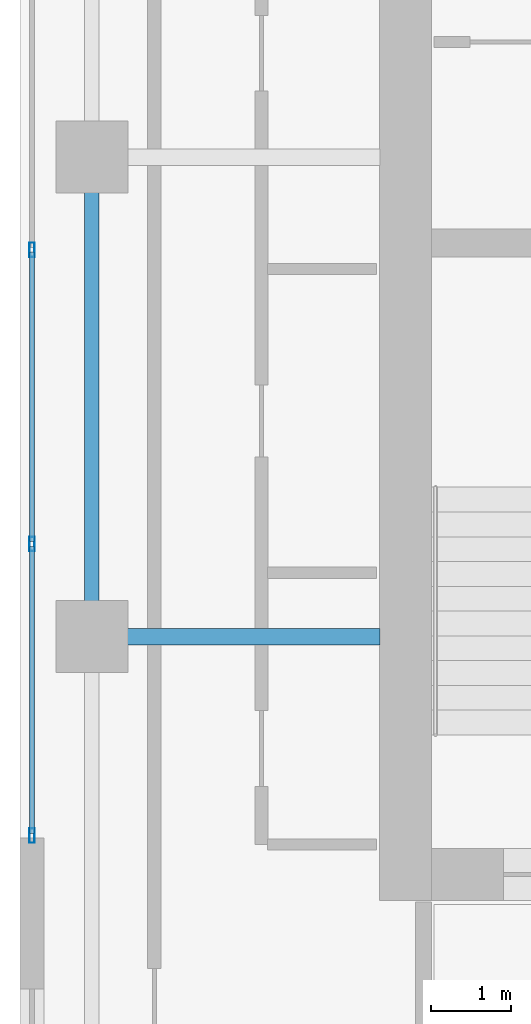
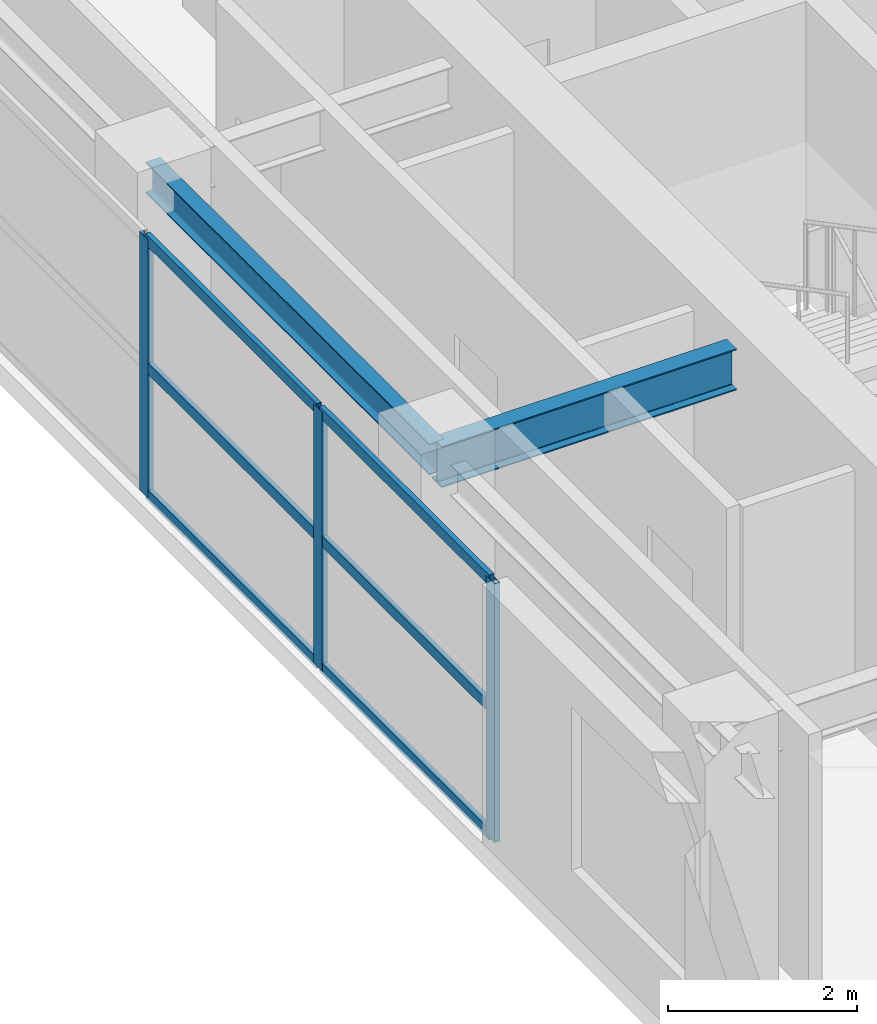
# One storey, part 2 of 15: 9 members, 2 beams, 1 element without a shape of its own.
"""IFC4 building model written with IfcOpenShell, lengths in metres."""

from ifc_helpers import new_model, si_unit, direction, frame, origin, origin_2d, place, context, subcontext, project, spatial, hollow_rectangle, i_section, extrude, source, transform, mapped, material, layer, layer_set, material_profile, profile_set, type_object, element, aggregate, save


model = new_model("IFC4")

# Units and contexts
model_context = context("Model", 3, precision=1e-05, world=origin(), true_north=direction((0.0, 1.0)))
body_context = subcontext(model_context, "Body", "Model", "MODEL_VIEW")
ifc_project = project(units=[si_unit("LENGTHUNIT", "METRE"), si_unit("AREAUNIT", "SQUARE_METRE"), si_unit("VOLUMEUNIT", "CUBIC_METRE"), si_unit("PLANEANGLEUNIT", "RADIAN"), si_unit("MASSUNIT", "GRAM", prefix="KILO")], contexts=[model_context])

# Site, building, storey
site_placement = place(None, origin())
site = spatial("IfcSite", under=ifc_project, at=site_placement, CompositionType="ELEMENT")
building_placement = place(site_placement, origin())
building = spatial("IfcBuilding", under=site, at=building_placement, Name="Khoralis Quay Care Tower", CompositionType="ELEMENT")
storey_placement = place(building_placement, frame((0.0, 0.0, 162.89990234375)))
storey = spatial("IfcBuildingStorey", under=building, at=storey_placement, Name="L42", CompositionType="ELEMENT", Elevation=162.89990234375)

# Beams
ifc_material_1 = material(Name="Steel S355", Category="steel")
ifc_material_profile_1 = material_profile(ifc_material_1, i_section(OverallWidth=0.179931640625, OverallDepth=0.39990234375, WebThickness=0.008544921875, FlangeThickness=0.013427734375, FilletRadius=0.02099609375, at=origin_2d()), Name="Steel S355")
ifc_profile_set_1 = profile_set([ifc_material_profile_1], Name="Steel S355")
beam_type_1 = type_object("IfcBeamType", Name="BM-IPE400", PredefinedType="SPANDREL", material=ifc_profile_set_1)
shared_shape_1 = source(origin(), body_context, "Body", "SweptSolid", [
    extrude(i_section(OverallWidth=0.179931640625, OverallDepth=0.39990234375, WebThickness=0.008544921875, FlangeThickness=0.013427734375, FilletRadius=0.02099609375, at=origin_2d()), origin(), (0.0, 0.0, 1.0), 6.0),
])
beam_1_placement = place(storey_placement, frame((3.89990234375, 18.0, 3.14013671875), z_axis=(0.0, 1.0, 0.0), x_axis=(-1.0, 0.0, 0.0)))
element("IfcBeam", 1, at=beam_1_placement, inside=storey, type_object=beam_type_1, Name="BM-TSP-L42-11", PredefinedType="SPANDREL", context=body_context, shape_type="MappedRepresentation", body=[
    mapped(shared_shape_1, transform((0.0, 0.0, 0.0), scale=1.0)),
])
ifc_material_profile_2 = material_profile(ifc_material_1, i_section(OverallWidth=0.208984375, OverallDepth=0.532958984375, WebThickness=0.01025390625, FlangeThickness=0.015625, FilletRadius=0.01611328125, at=origin_2d()), Name="Steel S355")
ifc_profile_set_2 = profile_set([ifc_material_profile_2], Name="Steel S355")
beam_type_2 = type_object("IfcBeamType", Name="BM-W530X92", PredefinedType="BEAM", material=ifc_profile_set_2)
shared_shape_2 = source(origin(), body_context, "Body", "SweptSolid", [
    extrude(i_section(OverallWidth=0.208984375, OverallDepth=0.532958984375, WebThickness=0.01025390625, FlangeThickness=0.015625, FilletRadius=0.01611328125, at=origin_2d()), origin(), (0.0, 0.0, 1.0), 3.60205078125),
])
beam_2_placement = place(storey_placement, frame((3.89990234375, 18.0, 3.073486328125), z_axis=(1.0, 0.0, 0.0), x_axis=(0.0, 1.0, 0.0)))
element("IfcBeam", 2, at=beam_2_placement, inside=storey, type_object=beam_type_2, Name="BM-TGXW-L42-180", PredefinedType="BEAM", context=body_context, shape_type="MappedRepresentation", body=[
    mapped(shared_shape_2, transform((0.0, 0.0, 0.0), scale=1.0)),
])

# Curtain wall, members
ifc_material_2 = material(Name="Pale anodised aluminium", Category="aluminium")
ifc_layer = layer(ifc_material_2, 0.159912109375)
ifc_layer_set = layer_set([ifc_layer], Name="Pale anodised aluminium")
curtain_wall_type = type_object("IfcCurtainWallType", Name="CW-SYS-Z3", PredefinedType="NOTDEFINED", material=ifc_layer_set)
curtain_wall_placement = place(storey_placement, origin())
curtain_wall = element("IfcCurtainWall", 3, at=curtain_wall_placement, inside=storey, type_object=curtain_wall_type, Name="L42 Unitised Curtain Wall CW-L42-P1-E15", PredefinedType="NOTDEFINED")
ifc_material_profile_3 = material_profile(ifc_material_2, hollow_rectangle(XDim=0.06494140625, YDim=0.179931640625, WallThickness=0.00390625, at=origin_2d()), Name="Pale anodised aluminium")
ifc_profile_set_3 = profile_set([ifc_material_profile_3], Name="Pale anodised aluminium")
member_type_1 = type_object("IfcMemberType", Name="CW-MUL-180", PredefinedType="MULLION", material=ifc_profile_set_3)
shared_shape_3 = source(origin(), body_context, "Body", "SweptSolid", [
    extrude(hollow_rectangle(XDim=0.06494140625, YDim=0.179931640625, WallThickness=0.00390625, at=origin_2d()), origin(), (0.0, 0.0, 1.0), 3.340087890625),
])
member_1_placement = place(storey_placement, frame((3.14990234375, 22.840087890625, 0.0), z_axis=(0.0, 0.0, 1.0), x_axis=(1.0, 0.0, 0.0)))
member_1 = element("IfcMember", 4, at=member_1_placement, type_object=member_type_1, Name="CW3 mullion 2", PredefinedType="MULLION", context=body_context, shape_type="MappedRepresentation", body=[
    mapped(shared_shape_3, transform((0.0, 0.0, 0.0), scale=1.0)),
])
member_2_placement = place(storey_placement, frame((3.14990234375, 19.159912109375, 0.0), z_axis=(0.0, 0.0, 1.0), x_axis=(1.0, 0.0, 0.0)))
member_2 = element("IfcMember", 5, at=member_2_placement, type_object=member_type_1, Name="CW3 mullion 3", PredefinedType="MULLION", context=body_context, shape_type="MappedRepresentation", body=[
    mapped(shared_shape_3, transform((0.0, 0.0, 0.0), scale=1.0)),
])
member_3_placement = place(storey_placement, frame((3.14990234375, 15.510009765625, 0.0), z_axis=(0.0, 0.0, 1.0), x_axis=(1.0, 0.0, 0.0)))
member_3 = element("IfcMember", 6, at=member_3_placement, type_object=member_type_1, Name="CW3 mullion 4", PredefinedType="MULLION", context=body_context, shape_type="MappedRepresentation", body=[
    mapped(shared_shape_3, transform((0.0, 0.0, 0.0), scale=1.0)),
])
ifc_material_profile_4 = material_profile(ifc_material_2, hollow_rectangle(XDim=0.06005859375, YDim=0.139892578125, WallThickness=0.00390625, at=origin_2d()), Name="Pale anodised aluminium")
ifc_profile_set_4 = profile_set([ifc_material_profile_4], Name="Pale anodised aluminium")
member_type_2 = type_object("IfcMemberType", Name="CW-TRN-140", PredefinedType="USERDEFINED", material=ifc_profile_set_4)
shared_shape_4 = source(origin(), body_context, "Body", "SweptSolid", [
    extrude(hollow_rectangle(XDim=0.06005859375, YDim=0.139892578125, WallThickness=0.00390625, at=origin_2d()), origin(), (0.0, 0.0, 1.0), 3.58984375),
])
member_4_placement = place(storey_placement, frame((3.14990234375, 19.1298828125, 0.030029296875), z_axis=(0.0, -1.0, 0.0), x_axis=(1.0, 0.0, 0.0)))
member_4 = element("IfcMember", 7, at=member_4_placement, type_object=member_type_2, Name="CW3 transom 3.1", ObjectType="TRANSOM", PredefinedType="USERDEFINED", context=body_context, shape_type="MappedRepresentation", body=[
    mapped(shared_shape_4, transform((0.0, 0.0, 0.0), scale=1.0)),
])
member_5_placement = place(storey_placement, frame((3.14990234375, 19.1298828125, 1.670166015625), z_axis=(0.0, -1.0, 0.0), x_axis=(1.0, 0.0, 0.0)))
member_5 = element("IfcMember", 8, at=member_5_placement, type_object=member_type_2, Name="CW3 transom 3.2", ObjectType="TRANSOM", PredefinedType="USERDEFINED", context=body_context, shape_type="MappedRepresentation", body=[
    mapped(shared_shape_4, transform((0.0, 0.0, 0.0), scale=1.0)),
])
member_6_placement = place(storey_placement, frame((3.14990234375, 19.1298828125, 3.31005859375), z_axis=(0.0, -1.0, 0.0), x_axis=(1.0, 0.0, 0.0)))
member_6 = element("IfcMember", 9, at=member_6_placement, type_object=member_type_2, Name="CW3 transom 3.3", ObjectType="TRANSOM", PredefinedType="USERDEFINED", context=body_context, shape_type="MappedRepresentation", body=[
    mapped(shared_shape_4, transform((0.0, 0.0, 0.0), scale=1.0)),
])
shared_shape_5 = source(origin(), body_context, "Body", "SweptSolid", [
    extrude(hollow_rectangle(XDim=0.06005859375, YDim=0.139892578125, WallThickness=0.00390625, at=origin_2d()), origin(), (0.0, 0.0, 1.0), 3.6201171875),
])
member_7_placement = place(storey_placement, frame((3.14990234375, 22.81005859375, 0.030029296875), z_axis=(0.0, -1.0, 0.0), x_axis=(1.0, 0.0, 0.0)))
member_7 = element("IfcMember", 10, at=member_7_placement, type_object=member_type_2, Name="CW3 transom 2.1", ObjectType="TRANSOM", PredefinedType="USERDEFINED", context=body_context, shape_type="MappedRepresentation", body=[
    mapped(shared_shape_5, transform((0.0, 0.0, 0.0), scale=1.0)),
])
member_8_placement = place(storey_placement, frame((3.14990234375, 22.81005859375, 1.670166015625), z_axis=(0.0, -1.0, 0.0), x_axis=(1.0, 0.0, 0.0)))
member_8 = element("IfcMember", 11, at=member_8_placement, type_object=member_type_2, Name="CW3 transom 2.2", ObjectType="TRANSOM", PredefinedType="USERDEFINED", context=body_context, shape_type="MappedRepresentation", body=[
    mapped(shared_shape_5, transform((0.0, 0.0, 0.0), scale=1.0)),
])
member_9_placement = place(storey_placement, frame((3.14990234375, 22.81005859375, 3.31005859375), z_axis=(0.0, -1.0, 0.0), x_axis=(1.0, 0.0, 0.0)))
member_9 = element("IfcMember", 12, at=member_9_placement, type_object=member_type_2, Name="CW3 transom 2.3", ObjectType="TRANSOM", PredefinedType="USERDEFINED", context=body_context, shape_type="MappedRepresentation", body=[
    mapped(shared_shape_5, transform((0.0, 0.0, 0.0), scale=1.0)),
])
aggregate(curtain_wall, [member_1, member_2, member_3, member_7, member_8, member_9, member_4, member_5, member_6])

save(model, "model.ifc")
